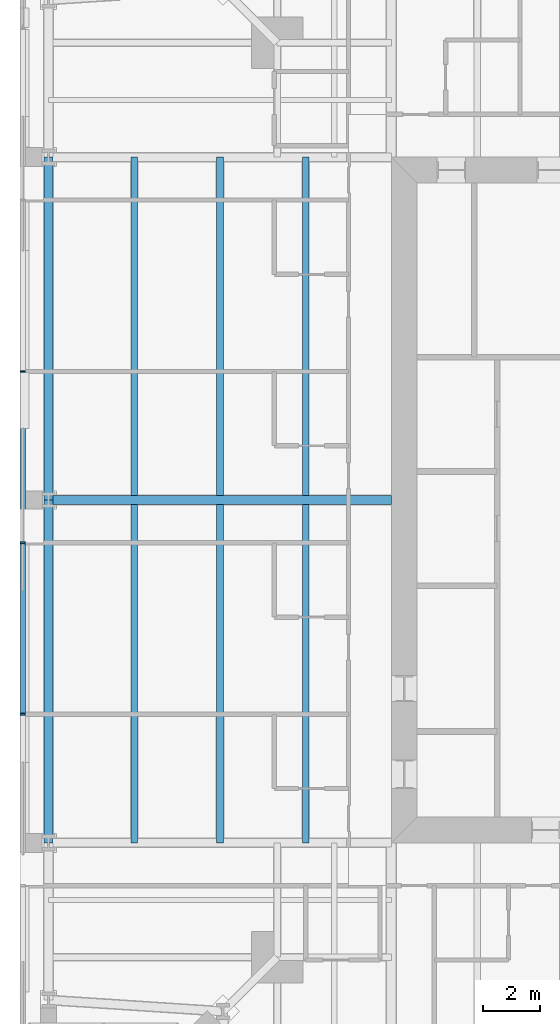
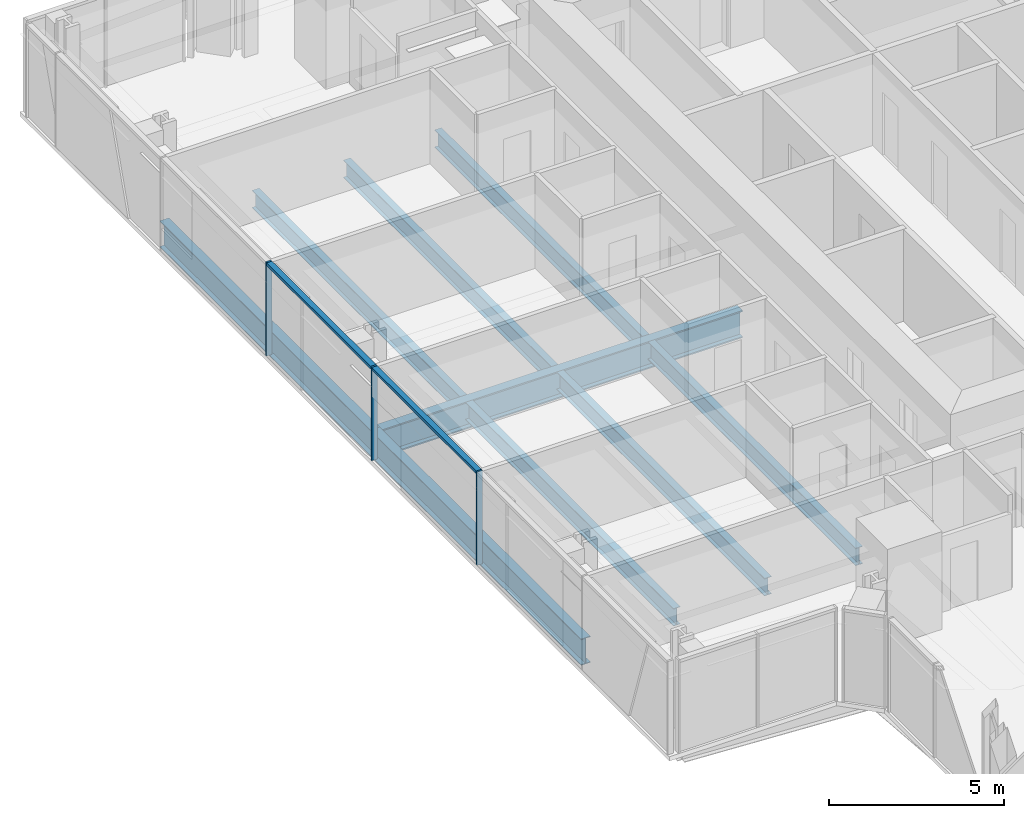
# One storey, part 4 of 20: 9 beams, 5 members, 1 element without a shape of its own.
"""IFC4 building model written with IfcOpenShell, lengths in metres."""

from ifc_helpers import new_model, si_unit, direction, frame, origin, origin_2d, place, context, subcontext, project, spatial, rectangle, i_section, extrude, material, material_profile, profile_set, type_object, element, aggregate, save


model = new_model("IFC4")

# Units and contexts
model_context = context("Model", 3, precision=1e-05, world=origin(), true_north=direction((0.0, 1.0)))
body_context = subcontext(model_context, "Body", "Model", "MODEL_VIEW")
ifc_project = project(units=[si_unit("LENGTHUNIT", "METRE"), si_unit("AREAUNIT", "SQUARE_METRE"), si_unit("VOLUMEUNIT", "CUBIC_METRE"), si_unit("PLANEANGLEUNIT", "RADIAN"), si_unit("MASSUNIT", "GRAM", prefix="KILO")], contexts=[model_context])

# Site, building, storey
site_placement = place(None, origin())
site = spatial("IfcSite", under=ifc_project, at=site_placement, CompositionType="ELEMENT")
building_placement = place(site_placement, origin())
building = spatial("IfcBuilding", under=site, at=building_placement, Name="Fenwick Lantern Interchange", CompositionType="ELEMENT")
storey_placement = place(building_placement, frame((0.0, 0.0, 245.800048828125)))
storey = spatial("IfcBuildingStorey", under=building, at=storey_placement, Name="L57", CompositionType="ELEMENT", Elevation=245.800048828125)

# Beams
ifc_material_1 = material(Name="Steel ASTM A992 Grade 50", Category="steel")
ifc_material_profile_1 = material_profile(ifc_material_1, i_section(OverallWidth=0.3046875, OverallDepth=0.911865234375, WebThickness=0.015869140625, FlangeThickness=0.02392578125, at=origin_2d()), Name="W36X150")
ifc_profile_set_1 = profile_set([ifc_material_profile_1], Name="Steel ASTM A992 Grade 50")
beam_type_1 = type_object("IfcBeamType", Name="EDGE BEAM W36X150", PredefinedType="SPANDREL", material=ifc_profile_set_1)
for number, where, z_axis, x_axis, name in (
    (1, (1.0, 37.0, -0.60595703125), (0.0, -1.0, 0.0), (1.0, 0.0, 0.0), "L57/FR/W/EB2"),
    (2, (1.0, 25.0, -0.60595703125), (0.0, -1.0, 0.0), (1.0, 0.0, 0.0), "L57/FR/W/EB3"),
):
    element("IfcBeam", number, at=place(storey_placement, frame(where, z_axis=z_axis, x_axis=x_axis)), inside=storey, type_object=beam_type_1, Name=name, PredefinedType="SPANDREL", context=body_context, shape_type="SweptSolid", body=[
        extrude(i_section(OverallWidth=0.3046875, OverallDepth=0.911865234375, WebThickness=0.015869140625, FlangeThickness=0.02392578125, at=origin_2d()), origin(), (0.0, 0.0, 1.0), 12.0),
    ])
ifc_material_profile_2 = material_profile(ifc_material_1, i_section(OverallWidth=0.22900390625, OverallDepth=0.612060546875, WebThickness=0.011962890625, FlangeThickness=0.01953125, at=origin_2d()), Name="W24X84")
ifc_profile_set_2 = profile_set([ifc_material_profile_2], Name="Steel ASTM A992 Grade 50")
beam_type_2 = type_object("IfcBeamType", Name="FLOOR BEAM W24X84", PredefinedType="BEAM", material=ifc_profile_set_2)
for number, where, z_axis, x_axis, name in (
    (3, (4.0, 37.0, -0.4560546875), (0.0, -1.0, 0.0), (1.0, 0.0, 0.0), "L57/FR/W/B01"),
    (4, (7.0, 37.0, -0.4560546875), (0.0, -1.0, 0.0), (1.0, 0.0, 0.0), "L57/FR/W/B02"),
    (5, (10.0, 37.0, -0.4560546875), (0.0, -1.0, 0.0), (1.0, 0.0, 0.0), "L57/FR/W/B03"),
    (6, (4.0, 24.844970703125, -0.4560546875), (0.0, -1.0, 0.0), (1.0, 0.0, 0.0), "L57/FR/W/B04"),
    (7, (7.0, 24.844970703125, -0.4560546875), (0.0, -1.0, 0.0), (1.0, 0.0, 0.0), "L57/FR/W/B05"),
    (8, (10.0, 24.844970703125, -0.4560546875), (0.0, -1.0, 0.0), (1.0, 0.0, 0.0), "L57/FR/W/B06"),
):
    element("IfcBeam", number, at=place(storey_placement, frame(where, z_axis=z_axis, x_axis=x_axis)), inside=storey, type_object=beam_type_2, Name=name, PredefinedType="BEAM", context=body_context, shape_type="SweptSolid", body=[
        extrude(i_section(OverallWidth=0.22900390625, OverallDepth=0.612060546875, WebThickness=0.011962890625, FlangeThickness=0.01953125, at=origin_2d()), origin(), (0.0, 0.0, 1.0), 11.844970703125),
    ])

# Curtain wall, members
ifc_material_2 = material(Name="Aluminium curtain wall frame", Category="aluminium")
curtain_wall_type = type_object("IfcCurtainWallType", Name="HOTEL CURTAIN WALL", PredefinedType="USERDEFINED", material=ifc_material_2)
curtain_wall_placement = place(storey_placement, origin())
curtain_wall = element("IfcCurtainWall", 9, at=curtain_wall_placement, inside=storey, type_object=curtain_wall_type, Name="Hotel curtain wall 13", ObjectType="HOTEL CURTAIN WALL", PredefinedType="USERDEFINED")
ifc_material_3 = material(Name="Aluminium extrusion", Category="aluminium")
ifc_material_profile_3 = material_profile(ifc_material_3, rectangle(XDim=0.179931640625, YDim=0.06005859375, at=origin_2d()), Name="HOTEL CURTAIN WALL MULLION 60 X 180")
ifc_profile_set_3 = profile_set([ifc_material_profile_3], Name="Aluminium extrusion")
member_type_1 = type_object("IfcMemberType", Name="HOTEL CURTAIN WALL MULLION 60 X 180", PredefinedType="MULLION", material=ifc_profile_set_3)
member_1_placement = place(storey_placement, frame((0.10009765625, 29.5, 0.0), z_axis=(0.0, 0.0, 1.0), x_axis=(1.0, 0.0, 0.0)))
member_1 = element("IfcMember", 10, at=member_1_placement, type_object=member_type_1, Name="L57/CW/13/M03", PredefinedType="MULLION", context=body_context, shape_type="SweptSolid", body=[
    extrude(rectangle(XDim=0.179931640625, YDim=0.06005859375, at=origin_2d()), origin(), (0.0, 0.0, 1.0), 3.25),
])
member_2_placement = place(storey_placement, frame((0.10009765625, 23.5, 0.0), z_axis=(0.0, 0.0, 1.0), x_axis=(1.0, 0.0, 0.0)))
member_2 = element("IfcMember", 11, at=member_2_placement, type_object=member_type_1, Name="L57/CW/13/M04", PredefinedType="MULLION", context=body_context, shape_type="SweptSolid", body=[
    extrude(rectangle(XDim=0.179931640625, YDim=0.06005859375, at=origin_2d()), origin(), (0.0, 0.0, 1.0), 3.25),
])
member_3_placement = place(storey_placement, frame((0.10009765625, 17.5, 0.0), z_axis=(0.0, 0.0, 1.0), x_axis=(1.0, 0.0, 0.0)))
member_3 = element("IfcMember", 12, at=member_3_placement, type_object=member_type_1, Name="L57/CW/13/M05", PredefinedType="MULLION", context=body_context, shape_type="SweptSolid", body=[
    extrude(rectangle(XDim=0.179931640625, YDim=0.06005859375, at=origin_2d()), origin(), (0.0, 0.0, 1.0), 3.25),
])
ifc_material_profile_4 = material_profile(ifc_material_3, rectangle(XDim=0.179931640625, YDim=0.10009765625, at=origin_2d()), Name="HOTEL CURTAIN WALL TRANSOM 100 X 180")
ifc_profile_set_4 = profile_set([ifc_material_profile_4], Name="Aluminium extrusion")
member_type_2 = type_object("IfcMemberType", Name="HOTEL CURTAIN WALL TRANSOM 100 X 180", PredefinedType="MULLION", material=ifc_profile_set_4)
member_4_placement = place(storey_placement, frame((0.10009765625, 29.469970703125, 3.199951171875), z_axis=(0.0, -1.0, 0.0), x_axis=(1.0, 0.0, 0.0)))
member_4 = element("IfcMember", 13, at=member_4_placement, type_object=member_type_2, Name="L57/CW/13/T03", PredefinedType="MULLION", context=body_context, shape_type="SweptSolid", body=[
    extrude(rectangle(XDim=0.179931640625, YDim=0.10009765625, at=origin_2d()), origin(), (0.0, 0.0, 1.0), 5.93994140625),
])
member_5_placement = place(storey_placement, frame((0.10009765625, 23.469970703125, 3.199951171875), z_axis=(0.0, -1.0, 0.0), x_axis=(1.0, 0.0, 0.0)))
member_5 = element("IfcMember", 14, at=member_5_placement, type_object=member_type_2, Name="L57/CW/13/T04", PredefinedType="MULLION", context=body_context, shape_type="SweptSolid", body=[
    extrude(rectangle(XDim=0.179931640625, YDim=0.10009765625, at=origin_2d()), origin(), (0.0, 0.0, 1.0), 5.93994140625),
])
aggregate(curtain_wall, [member_1, member_2, member_3, member_4, member_5])

# Beam
ifc_material_profile_5 = material_profile(ifc_material_1, i_section(OverallWidth=0.309814453125, OverallDepth=0.949951171875, WebThickness=0.0244140625, FlangeThickness=0.0439453125, at=origin_2d()), Name="W36X256")
ifc_profile_set_5 = profile_set([ifc_material_profile_5], Name="Steel ASTM A992 Grade 50")
beam_type_3 = type_object("IfcBeamType", Name="MOMENT-CONNECTED GIRDER W36X256", PredefinedType="BEAM", material=ifc_profile_set_5)
beam_placement = place(storey_placement, frame((1.0, 25.0, -0.625), z_axis=(1.0, 0.0, 0.0), x_axis=(0.0, 1.0, 0.0)))
element("IfcBeam", 15, at=beam_placement, inside=storey, type_object=beam_type_3, Name="L57/FR/W/R02", PredefinedType="BEAM", context=body_context, shape_type="SweptSolid", body=[
    extrude(i_section(OverallWidth=0.309814453125, OverallDepth=0.949951171875, WebThickness=0.0244140625, FlangeThickness=0.0439453125, at=origin_2d()), origin(), (0.0, 0.0, 1.0), 12.0),
])

save(model, "model.ifc")
